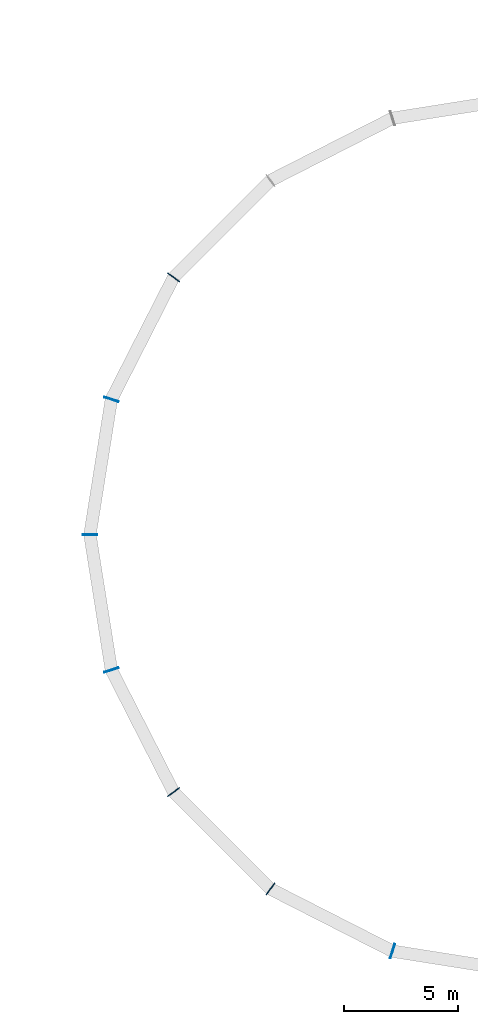
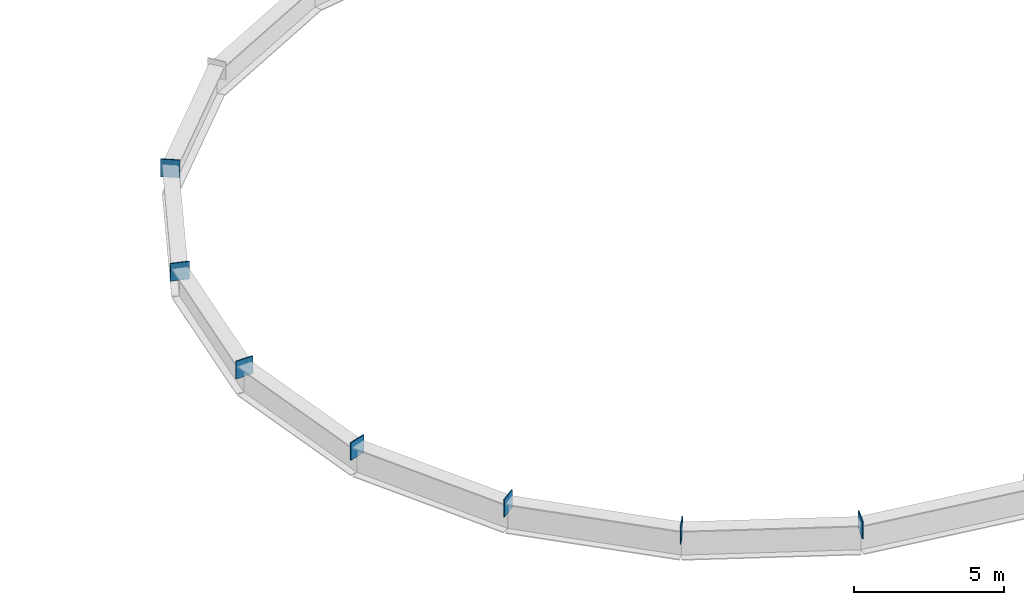
# One storey, part 25 of 45: 7 plates.
"""IFC4 building model written with IfcOpenShell, lengths in metres."""

from ifc_helpers import new_model, si_unit, direction, frame, origin, origin_2d, place, context, subcontext, project, spatial, rectangle, extrude, material, layer, layer_set, type_object, element, save


model = new_model("IFC4")

# Units and contexts
model_context = context("Model", 3, precision=1e-05, world=origin(), true_north=direction((0.0, 1.0)))
body_context = subcontext(model_context, "Body", "Model", "MODEL_VIEW")
ifc_project = project(units=[si_unit("LENGTHUNIT", "METRE"), si_unit("AREAUNIT", "SQUARE_METRE"), si_unit("VOLUMEUNIT", "CUBIC_METRE"), si_unit("PLANEANGLEUNIT", "RADIAN"), si_unit("MASSUNIT", "GRAM", prefix="KILO")], contexts=[model_context])

# Site, building, storey
site_placement = place(None, origin())
site = spatial("IfcSite", under=ifc_project, at=site_placement, CompositionType="ELEMENT")
building_placement = place(site_placement, origin())
building = spatial("IfcBuilding", under=site, at=building_placement, Name="Sefraquen Railside Congress Hotel", CompositionType="ELEMENT")
storey_placement = place(building_placement, frame((0.0, 0.0, 20.39990234375)))
storey = spatial("IfcBuildingStorey", under=building, at=storey_placement, Name="L04", CompositionType="ELEMENT", Elevation=20.39990234375)

# Plates
ifc_material = material(Name="Steel S355J2", Category="steel")
ifc_layer = layer(ifc_material, 0.0400390625)
ifc_layer_set = layer_set([ifc_layer], Name="Steel S355J2")
plate_type = type_object("IfcPlateType", Name="TP-GUS-02", PredefinedType="SHEET", material=ifc_layer_set)
for number, where, z_axis, x_axis, name in (
    (1, (48.6669921875, 38.285400390625, 0.09033203125), (0.0, 0.0, 1.0), (-0.809016994375, 0.587785252292, 0.0), "Dome ring-beam radial fin plate 09"),
    (2, (45.939697265625, 32.93310546875, 0.09033203125), (0.0, 0.0, 1.0), (-0.951056516295, 0.309016994375, 0.0), "Dome ring-beam radial fin plate 10"),
    (3, (45.0, 27.0, 0.09033203125), (0.0, 0.0, 1.0), (-1.0, 0.0, 0.0), "Dome ring-beam radial fin plate 11"),
    (4, (45.939697265625, 21.06689453125, 0.09033203125), (0.0, 0.0, 1.0), (-0.951056516295, -0.309016994375, 0.0), "Dome ring-beam radial fin plate 12"),
    (5, (48.6669921875, 15.714599609375, 0.09033203125), (0.0, 0.0, 1.0), (-0.809016994375, -0.587785252292, 0.0), "Dome ring-beam radial fin plate 13"),
    (6, (52.91455078125, 11.466796875, 0.09033203125), (0.0, 0.0, 1.0), (-0.587785252292, -0.809016994375, 0.0), "Dome ring-beam radial fin plate 14"),
    (7, (58.266845703125, 8.73974609375, 0.09033203125), (0.0, 0.0, 1.0), (-0.309016994375, -0.951056516295, 0.0), "Dome ring-beam radial fin plate 15"),
):
    element("IfcPlate", number, at=place(storey_placement, frame(where, z_axis=z_axis, x_axis=x_axis)), inside=storey, type_object=plate_type, Name=name, PredefinedType="SHEET", context=body_context, shape_type="SweptSolid", body=[
        extrude(rectangle(XDim=0.64990234375, YDim=0.0400390625, at=origin_2d()), origin(), (0.0, 0.0, 1.0), 0.719970703125),
    ])

save(model, "model.ifc")
